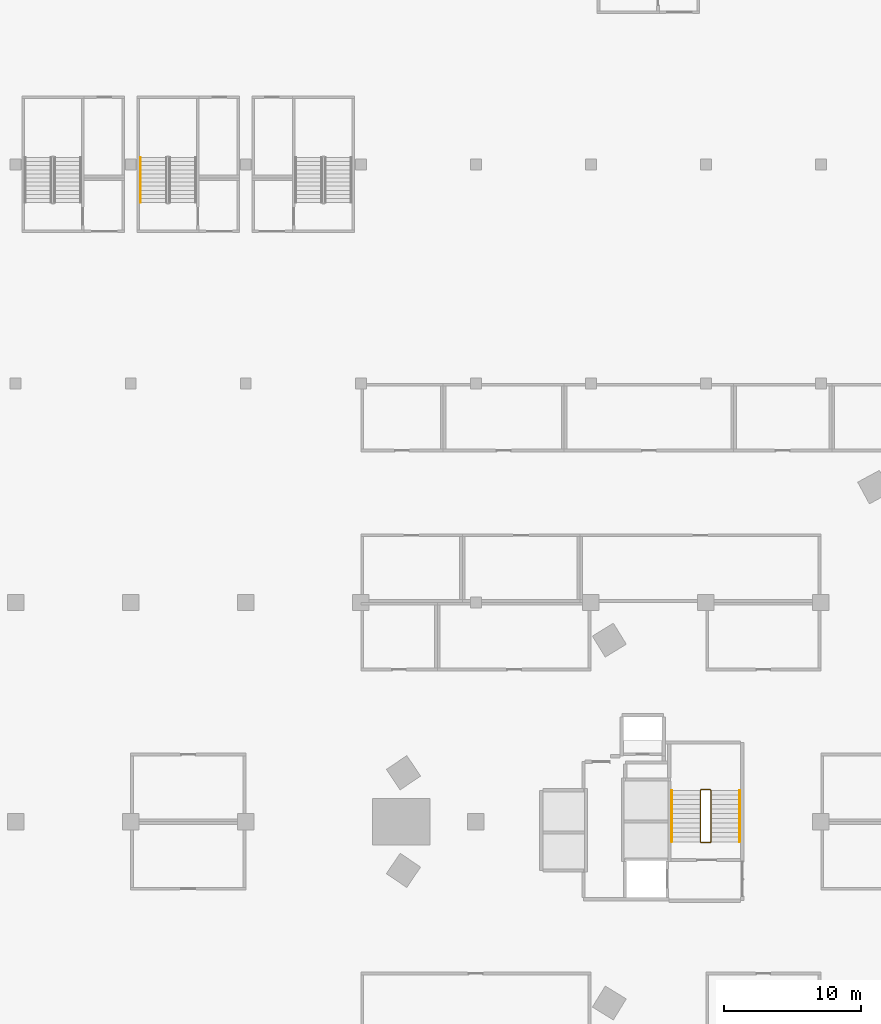
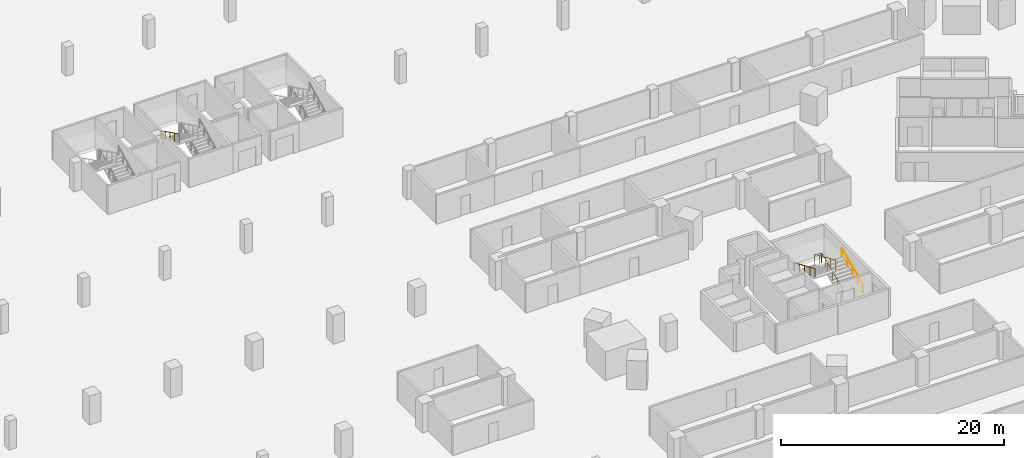
# One storey, part 27 of 37: 4 railings.
"""IFC4 building model written with IfcOpenShell, lengths in metres."""

from ifc_helpers import new_model, si_unit, direction, frame, origin, origin_2d, place, context, subcontext, project, spatial, circle, extrude, material, type_object, element, save


model = new_model("IFC4")

# Units and contexts
model_context = context("Model", 3, precision=1e-05, world=origin(), true_north=direction((0.0, 1.0)))
body_context = subcontext(model_context, "Body", "Model", "MODEL_VIEW")
ifc_project = project(units=[si_unit("LENGTHUNIT", "METRE"), si_unit("AREAUNIT", "SQUARE_METRE"), si_unit("VOLUMEUNIT", "CUBIC_METRE"), si_unit("PLANEANGLEUNIT", "RADIAN"), si_unit("MASSUNIT", "GRAM", prefix="KILO")], contexts=[model_context])

# Site, building, storey
site_placement = place(None, origin())
site = spatial("IfcSite", under=ifc_project, at=site_placement, CompositionType="ELEMENT")
building_placement = place(site_placement, origin())
building = spatial("IfcBuilding", under=site, at=building_placement, Name="Tamra Quay Hotel Tower", CompositionType="ELEMENT")
storey_placement = place(building_placement, frame((0.0, 0.0, -3.60009765625)))
storey = spatial("IfcBuildingStorey", under=building, at=storey_placement, Name="B1", CompositionType="ELEMENT", Elevation=-3.60009765625)

# Railings
ifc_material_1 = material(Name="Basement stair handrail 900")
railing_type_1 = type_object("IfcRailingType", Name="Basement stair handrail 900", PredefinedType="HANDRAIL", material=ifc_material_1)
railing_1_placement = place(storey_placement, frame((-54.800048828125, 48.5, 1.9501953125)))
element("IfcRailing", 1, at=railing_1_placement, inside=storey, type_object=railing_type_1, Name="BSH", PredefinedType="HANDRAIL", context=body_context, shape_type="SweptSolid", body=[
    extrude(circle(Radius=0.02392578125, at=origin_2d()), frame((0.0, 0.0, 0.8759765625), z_axis=(0.0, -0.894440424912, 0.447187126696), x_axis=(1.0, 0.0, 0.0)), (0.0, 0.0, 1.0), 3.689453125),
    extrude(circle(Radius=0.02099609375, at=origin_2d()), origin(), (0.0, 0.0, 1.0), 0.851806640625),
    extrude(circle(Radius=0.02099609375, at=origin_2d()), frame((0.0, -0.824951171875, 0.41259765625)), (0.0, 0.0, 1.0), 0.851806640625),
    extrude(circle(Radius=0.02099609375, at=origin_2d()), frame((0.0, -1.64990234375, 0.824951171875)), (0.0, 0.0, 1.0), 0.851806640625),
    extrude(circle(Radius=0.02099609375, at=origin_2d()), frame((0.0, -2.47509765625, 1.2373046875)), (0.0, 0.0, 1.0), 0.851806640625),
    extrude(circle(Radius=0.02099609375, at=origin_2d()), frame((0.0, -3.300048828125, 1.64990234375)), (0.0, 0.0, 1.0), 0.851806640625),
])
ifc_material_2 = material(Name="Stair guard 1100")
railing_type_2 = type_object("IfcRailingType", Name="Stair guard 1100", PredefinedType="GUARDRAIL", material=ifc_material_2)
railing_2_placement = place(storey_placement, frame((-13.84130859375, -1.530029296875, 0.0)))
element("IfcRailing", 2, at=railing_2_placement, inside=storey, type_object=railing_type_2, Name="GR", PredefinedType="GUARDRAIL", context=body_context, shape_type="SweptSolid", body=[
    extrude(circle(Radius=0.02392578125, at=origin_2d()), frame((0.0, 0.0, 1.076171875), z_axis=(1.0, 0.0, 0.0), x_axis=(0.0, 1.0, 0.0)), (0.0, 0.0, 1.0), 0.658935546875),
    extrude(circle(Radius=0.02392578125, at=origin_2d()), frame((0.658935546875, 0.0, 1.076171875), z_axis=(0.301511344578, 0.301511344578, 0.904534033733), x_axis=(-0.707106781187, 0.707106781187, 0.0)), (0.0, 0.0, 1.0), 0.166015625),
    extrude(circle(Radius=0.02392578125, at=origin_2d()), frame((0.708984375, 0.050048828125, 1.22607421875), z_axis=(0.0, 0.915795495799, 0.401644880304), x_axis=(-1.0, 0.0, 0.0)), (0.0, 0.0, 1.0), 4.10791015625),
    extrude(circle(Radius=0.02392578125, at=origin_2d()), frame((0.708984375, 3.81201171875, 2.8759765625), z_axis=(-0.708833529934, 0.705375805398, 0.0), x_axis=(-0.705375805398, -0.708833529934, 0.0)), (0.0, 0.0, 1.0), 0.070556640625),
    extrude(circle(Radius=0.02392578125, at=origin_2d()), frame((0.658935546875, 3.86181640625, 2.8759765625), z_axis=(-1.0, 0.0, 0.0), x_axis=(0.0, -1.0, 0.0)), (0.0, 0.0, 1.0), 0.658935546875),
    extrude(circle(Radius=0.02392578125, at=origin_2d()), frame((0.0, 3.86181640625, 2.8759765625), z_axis=(-0.301644814947, -0.300173376825, 0.904934444842), x_axis=(0.705375805398, -0.708833529934, 0.0)), (0.0, 0.0, 1.0), 0.166015625),
    extrude(circle(Radius=0.02392578125, at=origin_2d()), frame((-0.050048828125, 3.81201171875, 3.0263671875), z_axis=(0.0, -0.915795495799, 0.401644880304), x_axis=(1.0, 0.0, 0.0)), (0.0, 0.0, 1.0), 4.10791015625),
    extrude(circle(Radius=0.02099609375, at=origin_2d()), origin(), (0.0, 0.0, 1.0), 1.052001953125),
    extrude(circle(Radius=0.02099609375, at=origin_2d()), frame((0.658935546875, 0.0, 0.0)), (0.0, 0.0, 1.0), 1.052001953125),
    extrude(circle(Radius=0.02099609375, at=origin_2d()), frame((0.708984375, 0.050048828125, 0.150146484375)), (0.0, 0.0, 1.0), 1.052001953125),
    extrude(circle(Radius=0.02099609375, at=origin_2d()), frame((0.708984375, 0.990478515625, 0.5625)), (0.0, 0.0, 1.0), 1.052001953125),
    extrude(circle(Radius=0.02099609375, at=origin_2d()), frame((0.708984375, 1.93115234375, 0.97509765625)), (0.0, 0.0, 1.0), 1.052001953125),
    extrude(circle(Radius=0.02099609375, at=origin_2d()), frame((0.708984375, 2.87158203125, 1.3876953125)), (0.0, 0.0, 1.0), 1.052001953125),
    extrude(circle(Radius=0.02099609375, at=origin_2d()), frame((0.708984375, 3.81201171875, 1.800048828125)), (0.0, 0.0, 1.0), 1.052001953125),
    extrude(circle(Radius=0.02099609375, at=origin_2d()), frame((0.658935546875, 3.86181640625, 1.800048828125)), (0.0, 0.0, 1.0), 1.052001953125),
    extrude(circle(Radius=0.02099609375, at=origin_2d()), frame((0.0, 3.86181640625, 1.800048828125)), (0.0, 0.0, 1.0), 1.052001953125),
    extrude(circle(Radius=0.02099609375, at=origin_2d()), frame((-0.050048828125, 3.81201171875, 1.9501953125)), (0.0, 0.0, 1.0), 1.052001953125),
    extrude(circle(Radius=0.02099609375, at=origin_2d()), frame((-0.050048828125, 2.87158203125, 2.36279296875)), (0.0, 0.0, 1.0), 1.052001953125),
    extrude(circle(Radius=0.02099609375, at=origin_2d()), frame((-0.050048828125, 1.93115234375, 2.775146484375)), (0.0, 0.0, 1.0), 1.052001953125),
    extrude(circle(Radius=0.02099609375, at=origin_2d()), frame((-0.050048828125, 0.990478515625, 3.1875)), (0.0, 0.0, 1.0), 1.052001953125),
    extrude(circle(Radius=0.02099609375, at=origin_2d()), frame((-0.050048828125, 0.050048828125, 3.60009765625)), (0.0, 0.0, 1.0), 1.052001953125),
])
ifc_material_3 = material(Name="Stair handrail 900")
railing_type_3 = type_object("IfcRailingType", Name="Stair handrail 900", PredefinedType="HANDRAIL", material=ifc_material_3)
railing_3_placement = place(storey_placement, frame((-11.0322265625, -1.47998046875, 0.150146484375)))
element("IfcRailing", 3, at=railing_3_placement, inside=storey, type_object=railing_type_3, Name="HR", PredefinedType="HANDRAIL", context=body_context, shape_type="SweptSolid", body=[
    extrude(circle(Radius=0.02392578125, at=origin_2d()), frame((0.0, 0.0, 0.8759765625), z_axis=(0.0, 0.915795495799, 0.401644880304), x_axis=(-1.0, 0.0, 0.0)), (0.0, 0.0, 1.0), 4.10791015625),
    extrude(circle(Radius=0.02099609375, at=origin_2d()), origin(), (0.0, 0.0, 1.0), 0.851806640625),
    extrude(circle(Radius=0.02099609375, at=origin_2d()), frame((0.0, 0.9404296875, 0.41259765625)), (0.0, 0.0, 1.0), 0.851806640625),
    extrude(circle(Radius=0.02099609375, at=origin_2d()), frame((0.0, 1.880859375, 0.824951171875)), (0.0, 0.0, 1.0), 0.851806640625),
    extrude(circle(Radius=0.02099609375, at=origin_2d()), frame((0.0, 2.821533203125, 1.2373046875)), (0.0, 0.0, 1.0), 0.851806640625),
    extrude(circle(Radius=0.02099609375, at=origin_2d()), frame((0.0, 3.761962890625, 1.64990234375)), (0.0, 0.0, 1.0), 0.851806640625),
])
railing_4_placement = place(storey_placement, frame((-15.9912109375, 2.281982421875, 1.9501953125)))
element("IfcRailing", 4, at=railing_4_placement, inside=storey, type_object=railing_type_3, Name="HR", PredefinedType="HANDRAIL", context=body_context, shape_type="SweptSolid", body=[
    extrude(circle(Radius=0.02392578125, at=origin_2d()), frame((0.0, 0.0, 0.8759765625), z_axis=(0.0, -0.915795495799, 0.401644880304), x_axis=(1.0, 0.0, 0.0)), (0.0, 0.0, 1.0), 4.10791015625),
    extrude(circle(Radius=0.02099609375, at=origin_2d()), origin(), (0.0, 0.0, 1.0), 0.851806640625),
    extrude(circle(Radius=0.02099609375, at=origin_2d()), frame((0.0, -0.9404296875, 0.41259765625)), (0.0, 0.0, 1.0), 0.851806640625),
    extrude(circle(Radius=0.02099609375, at=origin_2d()), frame((0.0, -1.880859375, 0.824951171875)), (0.0, 0.0, 1.0), 0.851806640625),
    extrude(circle(Radius=0.02099609375, at=origin_2d()), frame((0.0, -2.821533203125, 1.2373046875)), (0.0, 0.0, 1.0), 0.851806640625),
    extrude(circle(Radius=0.02099609375, at=origin_2d()), frame((0.0, -3.761962890625, 1.64990234375)), (0.0, 0.0, 1.0), 0.851806640625),
])

save(model, "model.ifc")
